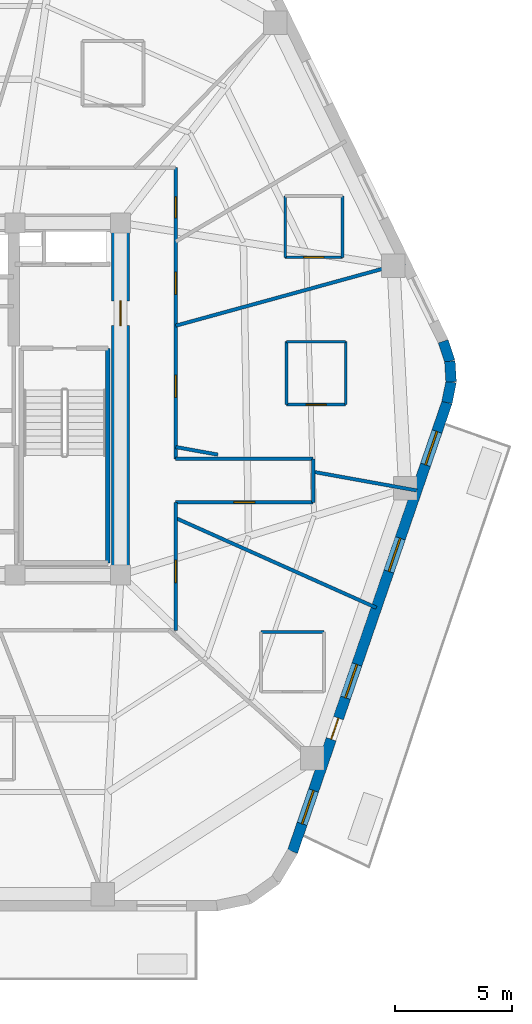
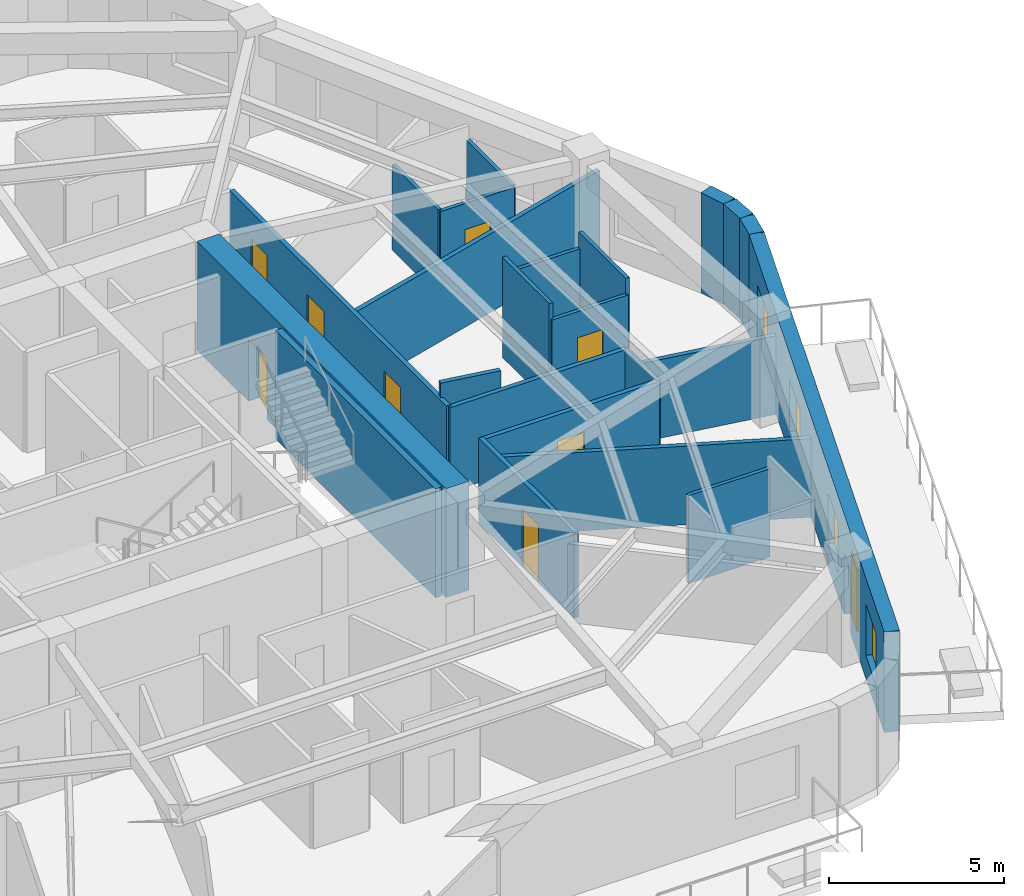
# One storey, part 5 of 9: 23 walls, 9 doors, 4 windows, 13 openings.
"""IFC4 building model written with IfcOpenShell, lengths in metres."""

from ifc_helpers import new_model, si_unit, direction, frame, frame_2d, origin, place, context, subcontext, project, spatial, rectangle, extrude, material, layer, layer_set, type_object, element, fill, save


model = new_model("IFC4")

# Units and contexts
model_context = context("Model", 3, precision=1e-05, world=origin(), true_north=direction((0.0, 1.0)))
body_context = subcontext(model_context, "Body", "Model", "MODEL_VIEW")
ifc_project = project(units=[si_unit("LENGTHUNIT", "METRE"), si_unit("AREAUNIT", "SQUARE_METRE"), si_unit("VOLUMEUNIT", "CUBIC_METRE"), si_unit("PLANEANGLEUNIT", "RADIAN"), si_unit("MASSUNIT", "GRAM", prefix="KILO")], contexts=[model_context])

# Site, building, storey
site_placement = place(None, origin())
site = spatial("IfcSite", under=ifc_project, at=site_placement, CompositionType="ELEMENT")
building_placement = place(site_placement, origin())
building = spatial("IfcBuilding", under=site, at=building_placement, Name="Kilnhurst Terrace Hotel", CompositionType="ELEMENT")
storey_placement = place(building_placement, frame((0.0, 0.0, 229.300048828125)))
storey = spatial("IfcBuildingStorey", under=building, at=storey_placement, Name="L57", CompositionType="ELEMENT", Elevation=229.300048828125)

# Walls
ifc_material_1 = material(Name="Precast concrete C40/50", Category="concrete")
ifc_layer_1 = layer(ifc_material_1, 0.449951171875, Name="Precast concrete C40/50")
ifc_layer_set_1 = layer_set([ifc_layer_1], Name="Precast concrete C40/50")
wall_type_1 = type_object("IfcWallType", Name="WL-BRK-450", PredefinedType="SOLIDWALL", material=ifc_layer_set_1)
wall_1_placement = place(storey_placement, frame((22.8984375, -0.149658203125, 0.0), z_axis=(0.0, 0.0, 1.0), x_axis=(0.199055826889, 0.979988151858, 0.0)))
element("IfcWall", 1, at=wall_1_placement, inside=storey, type_object=wall_type_1, Name="L57 Rounded Corner Brick Wall C3.1", PredefinedType="SOLIDWALL", context=body_context, shape_type="SweptSolid", body=[
    extrude(rectangle(XDim=0.89404296875, YDim=0.449951171875, at=frame_2d((0.447021484375, 0.0))), origin(), (0.0, 0.0, 1.0), 3.5),
])
wall_2_placement = place(storey_placement, frame((23.076416015625, 0.7265625, 0.0), z_axis=(0.0, 0.0, 1.0), x_axis=(-0.060805222108, 0.998149650586, 0.0)))
element("IfcWall", 2, at=wall_2_placement, inside=storey, type_object=wall_type_1, Name="L57 Rounded Corner Brick Wall C3.2", PredefinedType="SOLIDWALL", context=body_context, shape_type="SweptSolid", body=[
    extrude(rectangle(XDim=0.87939453125, YDim=0.449951171875, at=frame_2d((0.439697265625, 0.0))), origin(), (0.0, 0.0, 1.0), 3.5),
])
wall_3_placement = place(storey_placement, frame((23.02294921875, 1.604248046875, 0.0), z_axis=(0.0, 0.0, 1.0), x_axis=(-0.316801227695, 0.948491951537, 0.0)))
element("IfcWall", 3, at=wall_3_placement, inside=storey, type_object=wall_type_1, Name="L57 Rounded Corner Brick Wall C3.3", PredefinedType="SOLIDWALL", context=body_context, shape_type="SweptSolid", body=[
    extrude(rectangle(XDim=0.89404296875, YDim=0.449951171875, at=frame_2d((0.447021484375, 0.0))), origin(), (0.0, 0.0, 1.0), 3.5),
])

# Wall, openings, door, windows
wall_4_placement = place(storey_placement, frame((16.323974609375, -19.275146484375, 0.0), z_axis=(0.0, 0.0, 1.0), x_axis=(0.325083142304, 0.945685439557, 0.0)))
wall_4 = element("IfcWall", 4, at=wall_4_placement, inside=storey, type_object=wall_type_1, Name="L57 Exterior Brick Facade Wall F2", PredefinedType="SOLIDWALL", context=body_context, shape_type="SweptSolid", body=[
    extrude(rectangle(XDim=20.223876953125, YDim=0.449951171875, at=frame_2d((10.11181640625, 0.0))), origin(), (0.0, 0.0, 1.0), 3.5),
])
opening_1_placement = place(wall_4_placement, frame((5.06201171875, 0.0, 0.0)))
opening_1 = element("IfcOpeningElement", 5, at=opening_1_placement, cuts=wall_4, Name="Opening BD-950", PredefinedType="OPENING", context=body_context, shape_type="SweptSolid", body=[
    extrude(rectangle(XDim=0.949951171875, YDim=2.14990234375, at=frame_2d((0.47509765625, 1.074951171875))), frame((0.0, 0.23486328125, 0.0), z_axis=(0.0, -1.0, 0.0), x_axis=(1.0, 0.0, 0.0)), (0.0, 0.0, 1.0), 0.469970703125),
])
opening_2_placement = place(wall_4_placement, frame((1.2529296875, 0.0, 0.800048828125)))
opening_2 = element("IfcOpeningElement", 6, at=opening_2_placement, cuts=wall_4, Name="Opening W-02", PredefinedType="OPENING", context=body_context, shape_type="SweptSolid", body=[
    extrude(rectangle(XDim=1.5, YDim=1.800048828125, at=frame_2d((0.75, 0.89990234375))), frame((0.0, 0.23486328125, 0.0), z_axis=(0.0, -1.0, 0.0), x_axis=(1.0, 0.0, 0.0)), (0.0, 0.0, 1.0), 0.469970703125),
])
opening_3_placement = place(wall_4_placement, frame((6.928955078125, 0.0, 0.800048828125)))
opening_3 = element("IfcOpeningElement", 7, at=opening_3_placement, cuts=wall_4, Name="Opening W-02", PredefinedType="OPENING", context=body_context, shape_type="SweptSolid", body=[
    extrude(rectangle(XDim=1.5, YDim=1.800048828125, at=frame_2d((0.75, 0.89990234375))), frame((0.0, 0.23486328125, 0.0), z_axis=(0.0, -1.0, 0.0), x_axis=(1.0, 0.0, 0.0)), (0.0, 0.0, 1.0), 0.469970703125),
])
opening_4_placement = place(wall_4_placement, frame((12.612060546875, 0.0, 0.800048828125)))
opening_4 = element("IfcOpeningElement", 8, at=opening_4_placement, cuts=wall_4, Name="Opening W-02", PredefinedType="OPENING", context=body_context, shape_type="SweptSolid", body=[
    extrude(rectangle(XDim=1.5, YDim=1.800048828125, at=frame_2d((0.75, 0.89990234375))), frame((0.0, 0.23486328125, 0.0), z_axis=(0.0, -1.0, 0.0), x_axis=(1.0, 0.0, 0.0)), (0.0, 0.0, 1.0), 0.469970703125),
])
opening_5_placement = place(wall_4_placement, frame((17.41796875, 0.0, 0.800048828125)))
opening_5 = element("IfcOpeningElement", 9, at=opening_5_placement, cuts=wall_4, Name="Opening W-02", PredefinedType="OPENING", context=body_context, shape_type="SweptSolid", body=[
    extrude(rectangle(XDim=1.5, YDim=1.800048828125, at=frame_2d((0.75, 0.89990234375))), frame((0.0, 0.23486328125, 0.0), z_axis=(0.0, -1.0, 0.0), x_axis=(1.0, 0.0, 0.0)), (0.0, 0.0, 1.0), 0.469970703125),
])
ifc_material_2 = material(Name="Thermally Broken Bronze Aluminium Alloy 6063-T6 and Laminated Glass", Category="aluminium")
door_type_1 = type_object("IfcDoorType", Name="DR-EXT-BAL-950", OperationType="NOTDEFINED", PredefinedType="DOOR", material=ifc_material_2)
door_1_placement = place(opening_1_placement, origin())
door_1 = element("IfcDoor", 10, at=door_1_placement, inside=storey, type_object=door_type_1, Name="L57 Planted Balcony Door BAL-L1B", OperationType="SINGLE_SWING_RIGHT", OverallHeight=2.14990234375, OverallWidth=0.949951171875, PredefinedType="DOOR", context=body_context, shape_type="SweptSolid", body=[
    extrude(rectangle(XDim=0.949951171875, YDim=2.14990234375, at=frame_2d((0.47509765625, 1.074951171875))), frame((0.0, 0.02490234375, 0.0), z_axis=(0.0, -1.0, 0.0), x_axis=(1.0, 0.0, 0.0)), (0.0, 0.0, 1.0), 0.050048828125),
])
fill(opening_1, door_1)
ifc_material_3 = material(Name="Thermally Broken Bronze Aluminium Alloy 6063-T6 and Low-E Glass", Category="aluminium")
window_type = type_object("IfcWindowType", Name="WIN-1500X1800", PartitioningType="SINGLE_PANEL", PredefinedType="WINDOW", material=ifc_material_3)
window_1_placement = place(opening_2_placement, origin())
window_1 = element("IfcWindow", 11, at=window_1_placement, inside=storey, type_object=window_type, Name="L57 Deep-Set Masonry Window F2.1", OverallHeight=1.800048828125, OverallWidth=1.5, PartitioningType="SINGLE_PANEL", PredefinedType="WINDOW", context=body_context, shape_type="SweptSolid", body=[
    extrude(rectangle(XDim=1.5, YDim=1.800048828125, at=frame_2d((0.75, 0.89990234375))), frame((0.0, 0.030029296875, 0.0), z_axis=(0.0, -1.0, 0.0), x_axis=(1.0, 0.0, 0.0)), (0.0, 0.0, 1.0), 0.06005859375),
])
fill(opening_2, window_1)
window_2_placement = place(opening_3_placement, origin())
window_2 = element("IfcWindow", 12, at=window_2_placement, inside=storey, type_object=window_type, Name="L57 Deep-Set Masonry Window F2.2", OverallHeight=1.800048828125, OverallWidth=1.5, PartitioningType="SINGLE_PANEL", PredefinedType="WINDOW", context=body_context, shape_type="SweptSolid", body=[
    extrude(rectangle(XDim=1.5, YDim=1.800048828125, at=frame_2d((0.75, 0.89990234375))), frame((0.0, 0.030029296875, 0.0), z_axis=(0.0, -1.0, 0.0), x_axis=(1.0, 0.0, 0.0)), (0.0, 0.0, 1.0), 0.06005859375),
])
fill(opening_3, window_2)
window_3_placement = place(opening_4_placement, origin())
window_3 = element("IfcWindow", 13, at=window_3_placement, inside=storey, type_object=window_type, Name="L57 Deep-Set Masonry Window F2.3", OverallHeight=1.800048828125, OverallWidth=1.5, PartitioningType="SINGLE_PANEL", PredefinedType="WINDOW", context=body_context, shape_type="SweptSolid", body=[
    extrude(rectangle(XDim=1.5, YDim=1.800048828125, at=frame_2d((0.75, 0.89990234375))), frame((0.0, 0.030029296875, 0.0), z_axis=(0.0, -1.0, 0.0), x_axis=(1.0, 0.0, 0.0)), (0.0, 0.0, 1.0), 0.06005859375),
])
fill(opening_4, window_3)
window_4_placement = place(opening_5_placement, origin())
window_4 = element("IfcWindow", 14, at=window_4_placement, inside=storey, type_object=window_type, Name="L57 Deep-Set Masonry Window F2.4", OverallHeight=1.800048828125, OverallWidth=1.5, PartitioningType="SINGLE_PANEL", PredefinedType="WINDOW", context=body_context, shape_type="SweptSolid", body=[
    extrude(rectangle(XDim=1.5, YDim=1.800048828125, at=frame_2d((0.75, 0.89990234375))), frame((0.0, 0.030029296875, 0.0), z_axis=(0.0, -1.0, 0.0), x_axis=(1.0, 0.0, 0.0)), (0.0, 0.0, 1.0), 0.06005859375),
])
fill(opening_5, window_4)

# Wall, openings, doors
ifc_material_4 = material(Name="Acoustic Double-Gypsum Corridor Partition Assembly")
ifc_layer_2 = layer(ifc_material_4, 0.14990234375, Name="Acoustic Double-Gypsum Corridor Partition Assembly")
ifc_layer_set_2 = layer_set([ifc_layer_2], Name="Acoustic Double-Gypsum Corridor Partition Assembly")
wall_type_2 = type_object("IfcWallType", Name="WL-COR-150", PredefinedType="PARTITIONING", material=ifc_layer_set_2)
wall_5_placement = place(storey_placement, frame((11.35009765625, 9.85009765625, 0.0), z_axis=(0.0, 0.0, 1.0), x_axis=(0.0, -1.0, 0.0)))
wall_5 = element("IfcWall", 15, at=wall_5_placement, inside=storey, type_object=wall_type_2, Name="L57 Interior Wall WL-L57-COR-11", PredefinedType="PARTITIONING", context=body_context, shape_type="SweptSolid", body=[
    extrude(rectangle(XDim=12.400146484375, YDim=0.14990234375, at=frame_2d((6.2001953125, 0.0))), origin(), (0.0, 0.0, 1.0), 2.989990234375),
])
opening_6_placement = place(wall_5_placement, frame((4.443115234375, 0.0, 0.0)))
opening_6 = element("IfcOpeningElement", 16, at=opening_6_placement, cuts=wall_5, Name="Opening D-60B", PredefinedType="OPENING", context=body_context, shape_type="SweptSolid", body=[
    extrude(rectangle(XDim=0.949951171875, YDim=2.030029296875, at=frame_2d((0.47509765625, 1.01513671875))), frame((0.0, 0.0849609375, 0.0), z_axis=(0.0, -1.0, 0.0), x_axis=(1.0, 0.0, 0.0)), (0.0, 0.0, 1.0), 0.169921875),
])
opening_7_placement = place(wall_5_placement, frame((1.241943359375, 0.0, 0.0)))
opening_7 = element("IfcOpeningElement", 17, at=opening_7_placement, cuts=wall_5, Name="Opening D-60C", PredefinedType="OPENING", context=body_context, shape_type="SweptSolid", body=[
    extrude(rectangle(XDim=0.89990234375, YDim=2.030029296875, at=frame_2d((0.449951171875, 1.01513671875))), frame((0.0, 0.0849609375, 0.0), z_axis=(0.0, -1.0, 0.0), x_axis=(1.0, 0.0, 0.0)), (0.0, 0.0, 1.0), 0.169921875),
])
opening_8_placement = place(wall_5_placement, frame((8.8349609375, 0.0, 0.0)))
opening_8 = element("IfcOpeningElement", 18, at=opening_8_placement, cuts=wall_5, Name="Opening D-60B", PredefinedType="OPENING", context=body_context, shape_type="SweptSolid", body=[
    extrude(rectangle(XDim=0.949951171875, YDim=2.030029296875, at=frame_2d((0.47509765625, 1.01513671875))), frame((0.0, 0.0849609375, 0.0), z_axis=(0.0, -1.0, 0.0), x_axis=(1.0, 0.0, 0.0)), (0.0, 0.0, 1.0), 0.169921875),
])
ifc_material_5 = material(Name="Painted Solid-Core Service Fire Door")
door_type_2 = type_object("IfcDoorType", Name="DR-FD60-900", OperationType="NOTDEFINED", PredefinedType="DOOR", material=ifc_material_5)
door_2_placement = place(opening_7_placement, origin())
door_2 = element("IfcDoor", 19, at=door_2_placement, inside=storey, type_object=door_type_2, Name="L57 Executive Work Office Door 2", OperationType="SINGLE_SWING_RIGHT", OverallHeight=2.030029296875, OverallWidth=0.89990234375, PredefinedType="DOOR", context=body_context, shape_type="SweptSolid", body=[
    extrude(rectangle(XDim=0.89990234375, YDim=2.030029296875, at=frame_2d((0.449951171875, 1.01513671875))), frame((0.0, 0.02490234375, 0.0), z_axis=(0.0, -1.0, 0.0), x_axis=(1.0, 0.0, 0.0)), (0.0, 0.0, 1.0), 0.050048828125),
])
fill(opening_7, door_2)
ifc_material_6 = material(Name="Acoustic Walnut Veneer Solid-Core Fire Door")
door_type_3 = type_object("IfcDoorType", Name="DR-FD60-950", OperationType="NOTDEFINED", PredefinedType="DOOR", material=ifc_material_6)
door_3_placement = place(opening_6_placement, origin())
door_3 = element("IfcDoor", 20, at=door_3_placement, inside=storey, type_object=door_type_3, Name="L57 Guest Room Entry Door 1", OperationType="SINGLE_SWING_LEFT", OverallHeight=2.030029296875, OverallWidth=0.949951171875, PredefinedType="DOOR", context=body_context, shape_type="SweptSolid", body=[
    extrude(rectangle(XDim=0.949951171875, YDim=2.030029296875, at=frame_2d((0.47509765625, 1.01513671875))), frame((0.0, 0.02490234375, 0.0), z_axis=(0.0, -1.0, 0.0), x_axis=(1.0, 0.0, 0.0)), (0.0, 0.0, 1.0), 0.050048828125),
])
fill(opening_6, door_3)
door_4_placement = place(opening_8_placement, origin())
door_4 = element("IfcDoor", 21, at=door_4_placement, inside=storey, type_object=door_type_3, Name="L57 Executive Suite Entry Door 18", OperationType="SINGLE_SWING_RIGHT", OverallHeight=2.030029296875, OverallWidth=0.949951171875, PredefinedType="DOOR", context=body_context, shape_type="SweptSolid", body=[
    extrude(rectangle(XDim=0.949951171875, YDim=2.030029296875, at=frame_2d((0.47509765625, 1.01513671875))), frame((0.0, 0.02490234375, 0.0), z_axis=(0.0, -1.0, 0.0), x_axis=(1.0, 0.0, 0.0)), (0.0, 0.0, 1.0), 0.050048828125),
])
fill(opening_8, door_4)

# Walls
wall_6_placement = place(storey_placement, frame((11.35009765625, -2.550048828125, 0.0), z_axis=(0.0, 0.0, 1.0), x_axis=(1.0, 0.0, 0.0)))
element("IfcWall", 22, at=wall_6_placement, inside=storey, type_object=wall_type_2, Name="L57 Interior Wall WL-L57-COR-12", PredefinedType="PARTITIONING", context=body_context, shape_type="SweptSolid", body=[
    extrude(rectangle(XDim=5.849853515625, YDim=0.14990234375, at=frame_2d((2.9248046875, 0.0))), origin(), (0.0, 0.0, 1.0), 2.9404296875),
])
wall_7_placement = place(storey_placement, frame((17.199951171875, -2.550048828125, 0.0), z_axis=(0.0, 0.0, 1.0), x_axis=(0.0, -1.0, 0.0)))
element("IfcWall", 23, at=wall_7_placement, inside=storey, type_object=wall_type_2, Name="L57 Interior Wall WL-L57-COR-13", PredefinedType="PARTITIONING", context=body_context, shape_type="SweptSolid", body=[
    extrude(rectangle(XDim=1.849853515625, YDim=0.14990234375, at=frame_2d((0.9248046875, 0.0))), origin(), (0.0, 0.0, 1.0), 2.9404296875),
])

# Wall, opening, door
wall_8_placement = place(storey_placement, frame((17.199951171875, -4.39990234375, 0.0), z_axis=(0.0, 0.0, 1.0), x_axis=(-1.0, 0.0, 0.0)))
wall_8 = element("IfcWall", 24, at=wall_8_placement, inside=storey, type_object=wall_type_2, Name="L57 Interior Wall WL-L57-COR-14", PredefinedType="PARTITIONING", context=body_context, shape_type="SweptSolid", body=[
    extrude(rectangle(XDim=5.849853515625, YDim=0.14990234375, at=frame_2d((2.9248046875, 0.0))), origin(), (0.0, 0.0, 1.0), 2.9404296875),
])
opening_9_placement = place(wall_8_placement, frame((2.47509765625, 0.0, 0.0)))
opening_9 = element("IfcOpeningElement", 25, at=opening_9_placement, cuts=wall_8, Name="Opening D-60C", PredefinedType="OPENING", context=body_context, shape_type="SweptSolid", body=[
    extrude(rectangle(XDim=0.89990234375, YDim=2.030029296875, at=frame_2d((0.449951171875, 1.01513671875))), frame((0.0, 0.0849609375, 0.0), z_axis=(0.0, -1.0, 0.0), x_axis=(1.0, 0.0, 0.0)), (0.0, 0.0, 1.0), 0.169921875),
])
door_5_placement = place(opening_9_placement, origin())
door_5 = element("IfcDoor", 26, at=door_5_placement, inside=storey, type_object=door_type_2, Name="L57 Executive Work Office Door 17", OperationType="SINGLE_SWING_LEFT", OverallHeight=2.030029296875, OverallWidth=0.89990234375, PredefinedType="DOOR", context=body_context, shape_type="SweptSolid", body=[
    extrude(rectangle(XDim=0.89990234375, YDim=2.030029296875, at=frame_2d((0.449951171875, 1.01513671875))), frame((0.0, 0.02490234375, 0.0), z_axis=(0.0, -1.0, 0.0), x_axis=(1.0, 0.0, 0.0)), (0.0, 0.0, 1.0), 0.050048828125),
])
fill(opening_9, door_5)

wall_9_placement = place(storey_placement, frame((11.35009765625, -4.39990234375, 0.0), z_axis=(0.0, 0.0, 1.0), x_axis=(0.0, -1.0, 0.0)))
wall_9 = element("IfcWall", 27, at=wall_9_placement, inside=storey, type_object=wall_type_2, Name="L57 Interior Wall WL-L57-COR-15", PredefinedType="PARTITIONING", context=body_context, shape_type="SweptSolid", body=[
    extrude(rectangle(XDim=5.4501953125, YDim=0.14990234375, at=frame_2d((2.72509765625, 0.0))), origin(), (0.0, 0.0, 1.0), 2.989990234375),
])
opening_10_placement = place(wall_9_placement, frame((2.466064453125, 0.0, 0.0)))
opening_10 = element("IfcOpeningElement", 28, at=opening_10_placement, cuts=wall_9, Name="Opening D-60B", PredefinedType="OPENING", context=body_context, shape_type="SweptSolid", body=[
    extrude(rectangle(XDim=0.949951171875, YDim=2.030029296875, at=frame_2d((0.47509765625, 1.01513671875))), frame((0.0, 0.0849609375, 0.0), z_axis=(0.0, -1.0, 0.0), x_axis=(1.0, 0.0, 0.0)), (0.0, 0.0, 1.0), 0.169921875),
])
door_6_placement = place(opening_10_placement, origin())
door_6 = element("IfcDoor", 29, at=door_6_placement, inside=storey, type_object=door_type_3, Name="L57 Guest Room Entry Door 16", OperationType="SINGLE_SWING_RIGHT", OverallHeight=2.030029296875, OverallWidth=0.949951171875, PredefinedType="DOOR", context=body_context, shape_type="SweptSolid", body=[
    extrude(rectangle(XDim=0.949951171875, YDim=2.030029296875, at=frame_2d((0.47509765625, 1.01513671875))), frame((0.0, 0.02490234375, 0.0), z_axis=(0.0, -1.0, 0.0), x_axis=(1.0, 0.0, 0.0)), (0.0, 0.0, 1.0), 0.050048828125),
])
fill(opening_10, door_6)

ifc_material_7 = material(Name="Concrete C60/75", Category="concrete")
ifc_layer_3 = layer(ifc_material_7, 0.75, Name="Concrete C60/75")
ifc_layer_set_3 = layer_set([ifc_layer_3], Name="Concrete C60/75")
wall_type_3 = type_object("IfcWallType", Name="WL-CORE-750", PredefinedType="SHEAR", material=ifc_layer_set_3)
wall_10_placement = place(storey_placement, frame((9.0, -7.125, 0.0), z_axis=(0.0, 0.0, 1.0), x_axis=(0.0, 1.0, 0.0)))
wall_10 = element("IfcWall", 30, at=wall_10_placement, inside=storey, type_object=wall_type_3, Name="L57 Core East Shear Wall", PredefinedType="SHEAR", context=body_context, shape_type="SweptSolid", body=[
    extrude(rectangle(XDim=14.25, YDim=0.75, at=frame_2d((7.125, 0.0))), origin(), (0.0, 0.0, 1.0), 3.800048828125),
])
opening_11_placement = place(wall_10_placement, frame((10.25, 0.0, 0.0)))
opening_11 = element("IfcOpeningElement", 31, at=opening_11_placement, cuts=wall_10, Name="Opening D-90A", PredefinedType="OPENING", context=body_context, shape_type="SweptSolid", body=[
    extrude(rectangle(XDim=1.050048828125, YDim=2.14990234375, at=frame_2d((0.52490234375, 1.074951171875))), frame((0.0, 0.385009765625, 0.0), z_axis=(0.0, -1.0, 0.0), x_axis=(1.0, 0.0, 0.0)), (0.0, 0.0, 1.0), 0.77001953125),
])
ifc_material_8 = material(Name="Painted Hollow Metal Steel ASTM A36 Fire Door", Category="steel")
door_type_4 = type_object("IfcDoorType", Name="DR-FD90-1050", OperationType="NOTDEFINED", PredefinedType="DOOR", material=ifc_material_8)
door_7_placement = place(opening_11_placement, origin())
door_7 = element("IfcDoor", 32, at=door_7_placement, inside=storey, type_object=door_type_4, Name="L57 East Firefighting Lobby Door", OperationType="SINGLE_SWING_LEFT", OverallHeight=2.14990234375, OverallWidth=1.050048828125, PredefinedType="DOOR", context=body_context, shape_type="SweptSolid", body=[
    extrude(rectangle(XDim=1.050048828125, YDim=2.14990234375, at=frame_2d((0.52490234375, 1.074951171875))), frame((0.0, 0.02490234375, 0.0), z_axis=(0.0, -1.0, 0.0), x_axis=(1.0, 0.0, 0.0)), (0.0, 0.0, 1.0), 0.050048828125),
])
fill(opening_11, door_7)

# Walls
ifc_material_9 = material(Name="STC-58 Acoustic Twin-Frame Guestroom Demising Partition")
ifc_layer_4 = layer(ifc_material_9, 0.14990234375, Name="STC-58 Acoustic Twin-Frame Guestroom Demising Partition")
ifc_layer_set_4 = layer_set([ifc_layer_4], Name="STC-58 Acoustic Twin-Frame Guestroom Demising Partition")
wall_type_4 = type_object("IfcWallType", Name="WL-DEM-150", PredefinedType="PARTITIONING", material=ifc_layer_set_4)
wall_11_placement = place(storey_placement, frame((11.35009765625, 3.12060546875, 0.0), z_axis=(0.0, 0.0, 1.0), x_axis=(0.964212793822, 0.265129568758, 0.0)))
element("IfcWall", 33, at=wall_11_placement, inside=storey, type_object=wall_type_4, Name="L57 Interior Wall WL-L57-DEM-COL01-01-1", PredefinedType="PARTITIONING", context=body_context, shape_type="SweptSolid", body=[
    extrude(rectangle(XDim=10.119873046875, YDim=0.14990234375, at=frame_2d((5.06005859375, 0.0))), origin(), (0.0, 0.0, 1.0), 2.739990234375),
])
wall_12_placement = place(storey_placement, frame((11.35009765625, -5.072021484375, 0.0), z_axis=(0.0, 0.0, 1.0), x_axis=(0.912980177983, -0.408003914944, 0.0)))
element("IfcWall", 34, at=wall_12_placement, inside=storey, type_object=wall_type_4, Name="L57 Interior Wall WL-L57-DEM-MID11-17-1", PredefinedType="PARTITIONING", context=body_context, shape_type="SweptSolid", body=[
    extrude(rectangle(XDim=9.358154296875, YDim=0.14990234375, at=frame_2d((4.67919921875, 0.0))), origin(), (0.0, 0.0, 1.0), 2.739990234375),
])
wall_13_placement = place(storey_placement, frame((11.35009765625, -2.046142578125, 0.0), z_axis=(0.0, 0.0, 1.0), x_axis=(0.984127783205, -0.177461281195, 0.0)))
element("IfcWall", 35, at=wall_13_placement, inside=storey, type_object=wall_type_4, Name="L57 Interior Wall WL-L57-DEM-COL12-18-1", PredefinedType="PARTITIONING", context=body_context, shape_type="SweptSolid", body=[
    extrude(rectangle(XDim=1.82568359375, YDim=0.14990234375, at=frame_2d((0.912841796875, 0.0))), origin(), (0.0, 0.0, 1.0), 3.5),
])
wall_14_placement = place(storey_placement, frame((17.199951171875, -3.1005859375, 0.0), z_axis=(0.0, 0.0, 1.0), x_axis=(0.98413465883, -0.177423147559, 0.0)))
element("IfcWall", 36, at=wall_14_placement, inside=storey, type_object=wall_type_4, Name="L57 Interior Wall WL-L57-DEM-COL12-18-2", PredefinedType="PARTITIONING", context=body_context, shape_type="SweptSolid", body=[
    extrude(rectangle(XDim=4.481689453125, YDim=0.14990234375, at=frame_2d((2.24072265625, 0.0))), origin(), (0.0, 0.0, 1.0), 2.739990234375),
])

# Wall, opening, door
ifc_material_10 = material(Name="120 mm Moisture-Resistant Tile-Backed Bathroom Partition")
ifc_layer_5 = layer(ifc_material_10, 0.1201171875, Name="120 mm Moisture-Resistant Tile-Backed Bathroom Partition")
ifc_layer_set_5 = layer_set([ifc_layer_5], Name="120 mm Moisture-Resistant Tile-Backed Bathroom Partition")
wall_type_5 = type_object("IfcWallType", Name="WL-PART-120", PredefinedType="PARTITIONING", material=ifc_layer_set_5)
wall_15_placement = place(storey_placement, frame((16.011962890625, 6.033935546875, 0.0), z_axis=(0.0, 0.0, 1.0), x_axis=(1.0, 0.0, 0.0)))
wall_15 = element("IfcWall", 37, at=wall_15_placement, inside=storey, type_object=wall_type_5, Name="L57 Interior Wall WL-L57-BTH-01-1", PredefinedType="PARTITIONING", context=body_context, shape_type="SweptSolid", body=[
    extrude(rectangle(XDim=2.43994140625, YDim=0.1201171875, at=frame_2d((1.219970703125, 0.0))), origin(), (0.0, 0.0, 1.0), 2.9404296875),
])
opening_12_placement = place(wall_15_placement, frame((0.794921875, 0.0, 0.0)))
opening_12 = element("IfcOpeningElement", 38, at=opening_12_placement, cuts=wall_15, Name="Opening D-08A", PredefinedType="OPENING", context=body_context, shape_type="SweptSolid", body=[
    extrude(rectangle(XDim=0.85009765625, YDim=2.030029296875, at=frame_2d((0.425048828125, 1.01513671875))), frame((0.0, 0.070068359375, 0.0), z_axis=(0.0, -1.0, 0.0), x_axis=(1.0, 0.0, 0.0)), (0.0, 0.0, 1.0), 0.14013671875),
])
ifc_material_11 = material(Name="Moisture-Resistant Lacquered En-suite Bathroom Door")
door_type_5 = type_object("IfcDoorType", Name="DR-INT-850", OperationType="NOTDEFINED", PredefinedType="DOOR", material=ifc_material_11)
door_8_placement = place(opening_12_placement, origin())
door_8 = element("IfcDoor", 39, at=door_8_placement, inside=storey, type_object=door_type_5, Name="L57 En-suite Bathroom Door 1", OperationType="SINGLE_SWING_RIGHT", OverallHeight=2.030029296875, OverallWidth=0.85009765625, PredefinedType="DOOR", context=body_context, shape_type="SweptSolid", body=[
    extrude(rectangle(XDim=0.85009765625, YDim=2.030029296875, at=frame_2d((0.425048828125, 1.01513671875))), frame((0.0, 0.02490234375, 0.0), z_axis=(0.0, -1.0, 0.0), x_axis=(1.0, 0.0, 0.0)), (0.0, 0.0, 1.0), 0.050048828125),
])
fill(opening_12, door_8)

# Walls
for number, where, z_axis, x_axis, name in (
    (40, (18.451904296875, 6.033935546875, 0.0), (0.0, 0.0, 1.0), (0.0, 1.0, 0.0), "L57 Interior Wall WL-L57-BTH-01-2"),
    (41, (16.011962890625, 8.64404296875, 0.0), (0.0, 0.0, 1.0), (0.0, -1.0, 0.0), "L57 Interior Wall WL-L57-BTH-01-4"),
):
    element("IfcWall", number, at=place(storey_placement, frame(where, z_axis=z_axis, x_axis=x_axis)), inside=storey, type_object=wall_type_5, Name=name, PredefinedType="PARTITIONING", context=body_context, shape_type="SweptSolid", body=[
        extrude(rectangle(XDim=2.610107421875, YDim=0.1201171875, at=frame_2d((1.30517578125, 0.0))), origin(), (0.0, 0.0, 1.0), 2.989990234375),
    ])
wall_16_placement = place(storey_placement, frame((17.656982421875, -9.927978515625, 0.0), z_axis=(0.0, 0.0, 1.0), x_axis=(-1.0, 0.0, 0.0)))
element("IfcWall", 42, at=wall_16_placement, inside=storey, type_object=wall_type_5, Name="L57 Interior Wall WL-L57-BTH-16-3", PredefinedType="PARTITIONING", context=body_context, shape_type="SweptSolid", body=[
    extrude(rectangle(XDim=2.679931640625, YDim=0.1201171875, at=frame_2d((1.33984375, 0.0))), origin(), (0.0, 0.0, 1.0), 3.072265625),
])

# Wall, opening, door
wall_17_placement = place(storey_placement, frame((16.06591796875, -0.239013671875, 0.0), z_axis=(0.0, 0.0, 1.0), x_axis=(1.0, 0.0, 0.0)))
wall_17 = element("IfcWall", 43, at=wall_17_placement, inside=storey, type_object=wall_type_5, Name="L57 Interior Wall WL-L57-BTH-18-1", PredefinedType="PARTITIONING", context=body_context, shape_type="SweptSolid", body=[
    extrude(rectangle(XDim=2.52001953125, YDim=0.1201171875, at=frame_2d((1.260009765625, 0.0))), origin(), (0.0, 0.0, 1.0), 2.9404296875),
])
opening_13_placement = place(wall_17_placement, frame((0.8349609375, 0.0, 0.0)))
opening_13 = element("IfcOpeningElement", 44, at=opening_13_placement, cuts=wall_17, Name="Opening D-08A", PredefinedType="OPENING", context=body_context, shape_type="SweptSolid", body=[
    extrude(rectangle(XDim=0.85009765625, YDim=2.030029296875, at=frame_2d((0.425048828125, 1.01513671875))), frame((0.0, 0.070068359375, 0.0), z_axis=(0.0, -1.0, 0.0), x_axis=(1.0, 0.0, 0.0)), (0.0, 0.0, 1.0), 0.14013671875),
])
door_9_placement = place(opening_13_placement, origin())
door_9 = element("IfcDoor", 45, at=door_9_placement, inside=storey, type_object=door_type_5, Name="L57 En-suite Bathroom Door 18", OperationType="SINGLE_SWING_LEFT", OverallHeight=2.030029296875, OverallWidth=0.85009765625, PredefinedType="DOOR", context=body_context, shape_type="SweptSolid", body=[
    extrude(rectangle(XDim=0.85009765625, YDim=2.030029296875, at=frame_2d((0.425048828125, 1.01513671875))), frame((0.0, 0.02490234375, 0.0), z_axis=(0.0, -1.0, 0.0), x_axis=(1.0, 0.0, 0.0)), (0.0, 0.0, 1.0), 0.050048828125),
])
fill(opening_13, door_9)

# Walls
wall_18_placement = place(storey_placement, frame((18.5859375, -0.239013671875, 0.0), z_axis=(0.0, 0.0, 1.0), x_axis=(0.0, 1.0, 0.0)))
element("IfcWall", 46, at=wall_18_placement, inside=storey, type_object=wall_type_5, Name="L57 Interior Wall WL-L57-BTH-18-2", PredefinedType="PARTITIONING", context=body_context, shape_type="SweptSolid", body=[
    extrude(rectangle(XDim=2.679931640625, YDim=0.1201171875, at=frame_2d((1.33984375, 0.0))), origin(), (0.0, 0.0, 1.0), 3.5),
])
wall_19_placement = place(storey_placement, frame((18.5859375, 2.44091796875, 0.0), z_axis=(0.0, 0.0, 1.0), x_axis=(-1.0, 0.0, 0.0)))
element("IfcWall", 47, at=wall_19_placement, inside=storey, type_object=wall_type_5, Name="L57 Interior Wall WL-L57-BTH-18-3", PredefinedType="PARTITIONING", context=body_context, shape_type="SweptSolid", body=[
    extrude(rectangle(XDim=2.52001953125, YDim=0.1201171875, at=frame_2d((1.260009765625, 0.0))), origin(), (0.0, 0.0, 1.0), 2.9404296875),
])
wall_20_placement = place(storey_placement, frame((16.06591796875, 2.44091796875, 0.0), z_axis=(0.0, 0.0, 1.0), x_axis=(0.0, -1.0, 0.0)))
element("IfcWall", 48, at=wall_20_placement, inside=storey, type_object=wall_type_5, Name="L57 Interior Wall WL-L57-BTH-18-4", PredefinedType="PARTITIONING", context=body_context, shape_type="SweptSolid", body=[
    extrude(rectangle(XDim=2.679931640625, YDim=0.1201171875, at=frame_2d((1.33984375, 0.0))), origin(), (0.0, 0.0, 1.0), 3.5),
])
ifc_material_12 = material(Name="Concrete C50/60", Category="concrete")
ifc_layer_6 = layer(ifc_material_12, 0.199951171875, Name="Concrete C50/60")
ifc_layer_set_6 = layer_set([ifc_layer_6], Name="Concrete C50/60")
wall_type_6 = type_object("IfcWallType", Name="WL-STAIR-RC-200", PredefinedType="SHEAR", material=ifc_layer_set_6)
wall_21_placement = place(storey_placement, frame((8.4580078125, -6.985107421875, 0.0), z_axis=(0.0, 0.0, 1.0), x_axis=(0.0, 1.0, 0.0)))
element("IfcWall", 49, at=wall_21_placement, inside=storey, type_object=wall_type_6, Name="L57 Structural Stair Shaft Wall WL-L57-ST2-E", PredefinedType="SHEAR", context=body_context, shape_type="SweptSolid", body=[
    extrude(rectangle(XDim=9.14306640625, YDim=0.199951171875, at=frame_2d((4.571533203125, 0.0))), origin(), (0.0, 0.0, 1.0), 3.800048828125),
])

save(model, "model.ifc")
